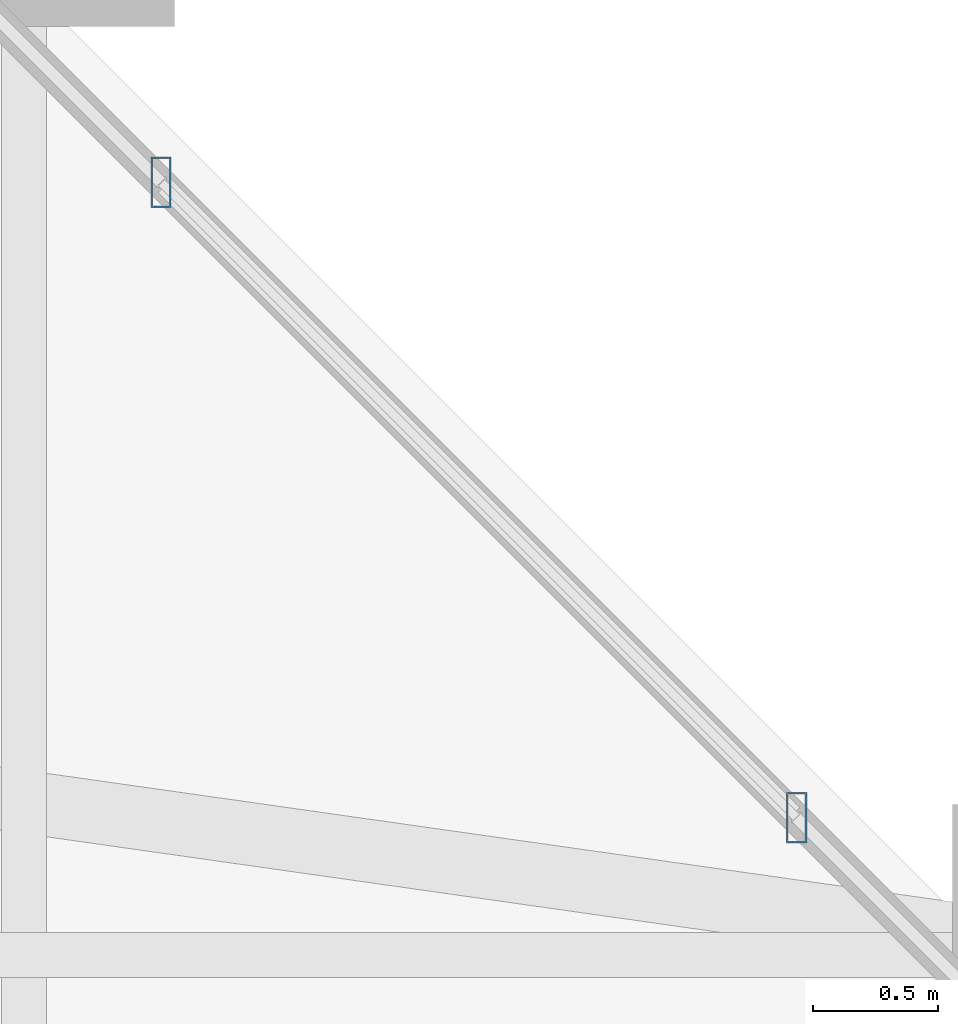
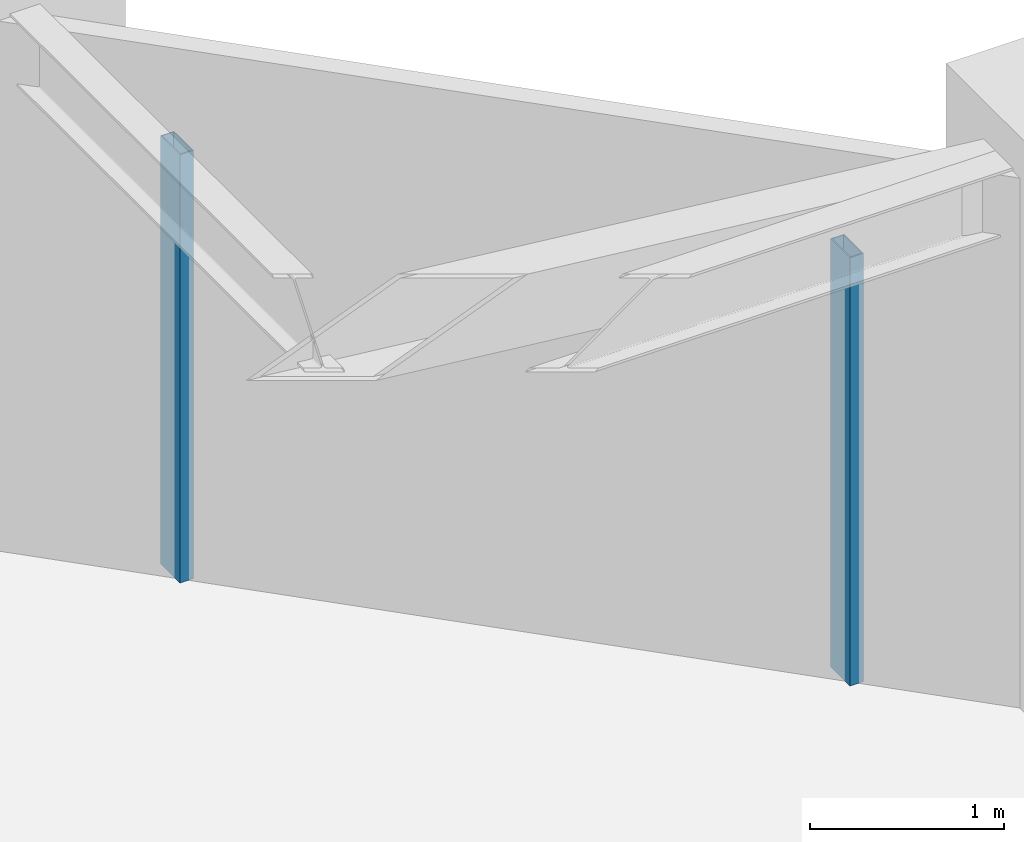
# One storey, part 9 of 32: 2 members, 1 element without a shape of its own.
"""IFC4 building model written with IfcOpenShell, lengths in metres."""

import ifcopenshell
import ifcopenshell.guid

model = None  # the IFC model being written
_history = None  # IfcOwnerHistory: only IFC2X3 demands one
_inside = {}  # id of a spatial element -> (the spatial element, [elements in it])
_under = {}  # id of a project, library or spatial element -> (it, [spatial elements below it])
_declared = {}  # id of a project -> (the project, [libraries it declares])
_typed = {}  # id of a type object -> (the type object, [elements of that type])
_made_of = {}  # id of a material, layer set ... -> (it, [elements and type objects made of it])


def new_model(schema):
    """Start an empty IFC model of exactly this schema.

    Asked for "IFC4X3", IfcOpenShell would pick the latest addendum, in which some entities
    have other attributes; the version numbers below select the first issue.
    IFC2X3 requires an IfcOwnerHistory on every rooted entity: one is made here for all.
    """
    global model, _history
    if schema == "IFC4X3":
        model = ifcopenshell.file(schema_version=(4, 3, 0, 0))
    else:
        model = ifcopenshell.file(schema=schema)
    _inside.clear()
    _under.clear()
    _declared.clear()
    _typed.clear()
    _made_of.clear()
    _history = None
    if model.schema == "IFC2X3":
        org = make("IfcOrganization", Name="unknown")
        user = make(
            "IfcPersonAndOrganization",
            ThePerson=make("IfcPerson", FamilyName="unknown"),
            TheOrganization=org,
        )
        app = make(
            "IfcApplication",
            ApplicationDeveloper=org,
            Version="unknown",
            ApplicationFullName="unknown",
            ApplicationIdentifier="unknown",
        )
        _history = make(
            "IfcOwnerHistory",
            OwningUser=user,
            OwningApplication=app,
            ChangeAction="ADDED",
            CreationDate=0,
        )
    return model


def make(cls, **values):
    """One entity of the class cls with the attributes given. An attribute that is None is left unset."""
    return model.create_entity(
        cls, **{name: value for name, value in values.items() if value is not None}
    )


def rooted(cls, **values):
    """An entity with a GlobalId (a new one), such as an element, a storey or a relation."""
    return make(cls, GlobalId=ifcopenshell.guid.new(), OwnerHistory=_history, **values)


def si_unit(unit_type, name, prefix=None):
    """IfcSIUnit, for example si_unit("LENGTHUNIT", "METRE", prefix="MILLI")."""
    return make("IfcSIUnit", UnitType=unit_type, Prefix=prefix, Name=name)


def assignment(units):
    """IfcUnitAssignment: the units of a project."""
    return None if units is None else make("IfcUnitAssignment", Units=units)


def point(xyz):
    """IfcCartesianPoint."""
    return None if xyz is None else make("IfcCartesianPoint", Coordinates=xyz)


def direction(xyz):
    """IfcDirection."""
    return None if xyz is None else make("IfcDirection", DirectionRatios=xyz)


def frame(location, z_axis=None, x_axis=None):
    """IfcAxis2Placement3D, a coordinate frame: its origin and axes. An axis left out is left unset."""
    return make(
        "IfcAxis2Placement3D",
        Location=point(location),
        Axis=direction(z_axis),
        RefDirection=direction(x_axis),
    )


def frame_2d(location, x_axis=None):
    """IfcAxis2Placement2D, a coordinate frame in the plane: its origin and x axis."""
    return make(
        "IfcAxis2Placement2D", Location=point(location), RefDirection=direction(x_axis)
    )


def origin():
    """The frame at (0, 0, 0) with its axes left unset."""
    return frame((0.0, 0.0, 0.0))


def origin_2d():
    """The frame at (0, 0) in the plane with its x axis left unset."""
    return frame_2d((0.0, 0.0))


def place(relative_to, where):
    """IfcLocalPlacement: puts the frame where relative to a parent placement (None: the world)."""
    return make(
        "IfcLocalPlacement", PlacementRelTo=relative_to, RelativePlacement=where
    )


def context(
    kind, dimensions, precision=None, world=None, true_north=None, identifier=None
):
    """IfcGeometricRepresentationContext, for example the 3D "Model" context."""
    return make(
        "IfcGeometricRepresentationContext",
        ContextIdentifier=identifier,
        ContextType=kind,
        CoordinateSpaceDimension=dimensions,
        Precision=precision,
        WorldCoordinateSystem=world,
        TrueNorth=true_north,
    )


def subcontext(parent, identifier, kind, view, scale=None):
    """IfcGeometricRepresentationSubContext, for example "Body" below "Model"."""
    return make(
        "IfcGeometricRepresentationSubContext",
        ContextIdentifier=identifier,
        ContextType=kind,
        ParentContext=parent,
        TargetScale=scale,
        TargetView=view,
    )


def project(units=None, contexts=None):
    """IfcProject with its units and contexts."""
    return rooted(
        "IfcProject",
        Name="project",
        RepresentationContexts=contexts,
        UnitsInContext=assignment(units),
    )


def spatial(cls, under=None, at=None, **own):
    """A site, building, storey or space (cls), placed at a placement, below another one or the project."""
    s = rooted(cls, ObjectPlacement=at, **own)
    if under is not None:
        _under.setdefault(under.id(), (under, []))[1].append(s)
    return s


def profile(cls, at=None, kind="AREA", **sizes):
    """A parametric profile (cls). Its sizes go by their IFC names, for example OverallWidth=200.0."""
    return make(cls, ProfileType=kind, Position=at, **sizes)


def hollow_rectangle(**sizes):
    """IfcRectangleHollowProfileDef."""
    return profile("IfcRectangleHollowProfileDef", **sizes)


def extrude(swept, where, along, depth):
    """IfcExtrudedAreaSolid: the profile swept, set in the frame where, extruded along a direction by depth."""
    return make(
        "IfcExtrudedAreaSolid",
        SweptArea=swept,
        Position=where,
        ExtrudedDirection=direction(along),
        Depth=depth,
    )


def shape(context_of_items, identifier, shape_type, items):
    """IfcShapeRepresentation: the items that make up one representation, for example the "Body"."""
    return make(
        "IfcShapeRepresentation",
        ContextOfItems=context_of_items,
        RepresentationIdentifier=identifier,
        RepresentationType=shape_type,
        Items=items,
    )


def material(Name=None, Category=None):
    """IfcMaterial."""
    return make("IfcMaterial", Name=Name, Category=Category)


def material_profile(
    of_material, cross_section, Name=None, Category=None, Priority=None
):
    """IfcMaterialProfile: a cross section and its material."""
    return make(
        "IfcMaterialProfile",
        Name=Name,
        Material=of_material,
        Profile=cross_section,
        Priority=Priority,
        Category=Category,
    )


def profile_set(profiles, Name=None, composite=None):
    """IfcMaterialProfileSet."""
    return make(
        "IfcMaterialProfileSet",
        Name=Name,
        MaterialProfiles=profiles,
        CompositeProfile=composite,
    )


def made_of(thing, what):
    """Note that an element or type object is made of a material, layer set ...; save() writes the relation."""
    if what is not None:
        _made_of.setdefault(what.id(), (what, []))[1].append(thing)
    return thing


def type_object(cls, material=None, **own):
    """A type object (cls), such as IfcWallType, which elements share."""
    return made_of(rooted(cls, **own), material)


def element(
    cls,
    number,
    at=None,
    inside=None,
    cuts=None,
    type_object=None,
    material=None,
    context=None,
    identifier="Body",
    shape_type=None,
    held_by="IfcProductDefinitionShape",
    body=None,
    shapes=None,
    **own,
):
    """One element of the class cls, such as IfcWall. Its Tag is "e" and its number.

    at: its placement. inside: the storey or other place that contains it. cuts: it is an
    opening in that element (IfcRelVoidsElement). A single representation is given by context,
    identifier, shape_type and body (its items); several are given by shapes. held_by: the class
    of the entity that holds the representations. save() writes the other relations.
    """
    e = rooted(cls, Tag="e%d" % number, ObjectPlacement=at, **own)
    if body is not None:
        shapes = [shape(context, identifier, shape_type, body)]
    if shapes is not None:
        e.Representation = make(held_by, Representations=shapes)
    if inside is not None:
        _inside.setdefault(inside.id(), (inside, []))[1].append(e)
    if cuts is not None:
        rooted(
            "IfcRelVoidsElement", RelatingBuildingElement=cuts, RelatedOpeningElement=e
        )
    if type_object is not None:
        _typed.setdefault(type_object.id(), (type_object, []))[1].append(e)
    return made_of(e, material)


def aggregate(whole, parts):
    """IfcRelAggregates: a whole, such as a stair, and the parts it consists of."""
    return rooted("IfcRelAggregates", RelatingObject=whole, RelatedObjects=parts)


def save(model, path):
    """Write the relations noted so far, then the file.

    IfcRelAggregates (storeys below a building ...), IfcRelContainedInSpatialStructure (elements
    in a storey), IfcRelDefinesByType, IfcRelAssociatesMaterial and IfcRelDeclares: one each for
    every whole, place, type object, material and project.
    """
    for whole, parts in _under.values():
        aggregate(whole, parts)
    for where, things in _inside.values():
        rooted(
            "IfcRelContainedInSpatialStructure",
            RelatedElements=things,
            RelatingStructure=where,
        )
    for kind, things in _typed.values():
        rooted("IfcRelDefinesByType", RelatedObjects=things, RelatingType=kind)
    for what, things in _made_of.values():
        rooted("IfcRelAssociatesMaterial", RelatedObjects=things, RelatingMaterial=what)
    for by, libraries in _declared.values():
        rooted("IfcRelDeclares", RelatingContext=by, RelatedDefinitions=libraries)
    model.write(path)


model = new_model("IFC4")

# Units and contexts
model_context = context("Model", 3, precision=1e-05, world=origin(), true_north=direction((0.0, 1.0)))
body_context = subcontext(model_context, "Body", "Model", "MODEL_VIEW")
ifc_project = project(units=[si_unit("LENGTHUNIT", "METRE"), si_unit("AREAUNIT", "SQUARE_METRE"), si_unit("VOLUMEUNIT", "CUBIC_METRE"), si_unit("PLANEANGLEUNIT", "RADIAN"), si_unit("MASSUNIT", "GRAM", prefix="KILO")], contexts=[model_context])

# Site, building, storey
site_placement = place(None, origin())
site = spatial("IfcSite", under=ifc_project, at=site_placement, CompositionType="ELEMENT")
building_placement = place(site_placement, origin())
building = spatial("IfcBuilding", under=site, at=building_placement, Name="Thornwick Lancets Civic Towers", CompositionType="ELEMENT")
storey_placement = place(building_placement, frame((0.0, 0.0, 123.300048828125)))
storey = spatial("IfcBuildingStorey", under=building, at=storey_placement, Name="L32", CompositionType="ELEMENT", Elevation=123.300048828125)

# Curtain wall, members
ifc_material_1 = material(Name="Mid-zone chamfered-corner unitised glass curtain wall", Category="glass")
curtain_wall_type = type_object("IfcCurtainWallType", Name="CW_SYS_04", PredefinedType="NOTDEFINED", material=ifc_material_1)
curtain_wall_placement = place(storey_placement, origin())
curtain_wall = element("IfcCurtainWall", 1, at=curtain_wall_placement, inside=storey, type_object=curtain_wall_type, Name="L32 Curtain Wall CW-L32-A-E3", PredefinedType="NOTDEFINED")
ifc_material_2 = material(Name="Thermally broken bronze aluminium S355", Category="steel")
ifc_material_profile = material_profile(ifc_material_2, hollow_rectangle(XDim=0.080078125, YDim=0.199951171875, WallThickness=0.006103515625, at=origin_2d()), Name="RHS 200x80x6")
ifc_profile_set = profile_set([ifc_material_profile], Name="Thermally broken bronze aluminium S355")
member_type = type_object("IfcMemberType", Name="CW_MUL_200", PredefinedType="MULLION", material=ifc_profile_set)
member_1_placement = place(storey_placement, frame((41.5791015625, 40.546875, 0.0), z_axis=(0.0, 0.0, 1.0), x_axis=(1.0, 0.0, 0.0)))
member_1 = element("IfcMember", 2, at=member_1_placement, type_object=member_type, Name="CW-L32-A-E3 Mullion 0", PredefinedType="MULLION", context=body_context, shape_type="SweptSolid", body=[
    extrude(hollow_rectangle(XDim=0.080078125, YDim=0.199951171875, WallThickness=0.006103515625, at=origin_2d()), origin(), (0.0, 0.0, 1.0), 2.699951171875),
])
member_2_placement = place(storey_placement, frame((39.046875, 43.0791015625, 0.0), z_axis=(0.0, 0.0, 1.0), x_axis=(1.0, 0.0, 0.0)))
member_2 = element("IfcMember", 3, at=member_2_placement, type_object=member_type, Name="CW-L32-A-E3 Mullion 1", PredefinedType="MULLION", context=body_context, shape_type="SweptSolid", body=[
    extrude(hollow_rectangle(XDim=0.080078125, YDim=0.199951171875, WallThickness=0.006103515625, at=origin_2d()), origin(), (0.0, 0.0, 1.0), 2.699951171875),
])
aggregate(curtain_wall, [member_1, member_2])

save(model, "model.ifc")
